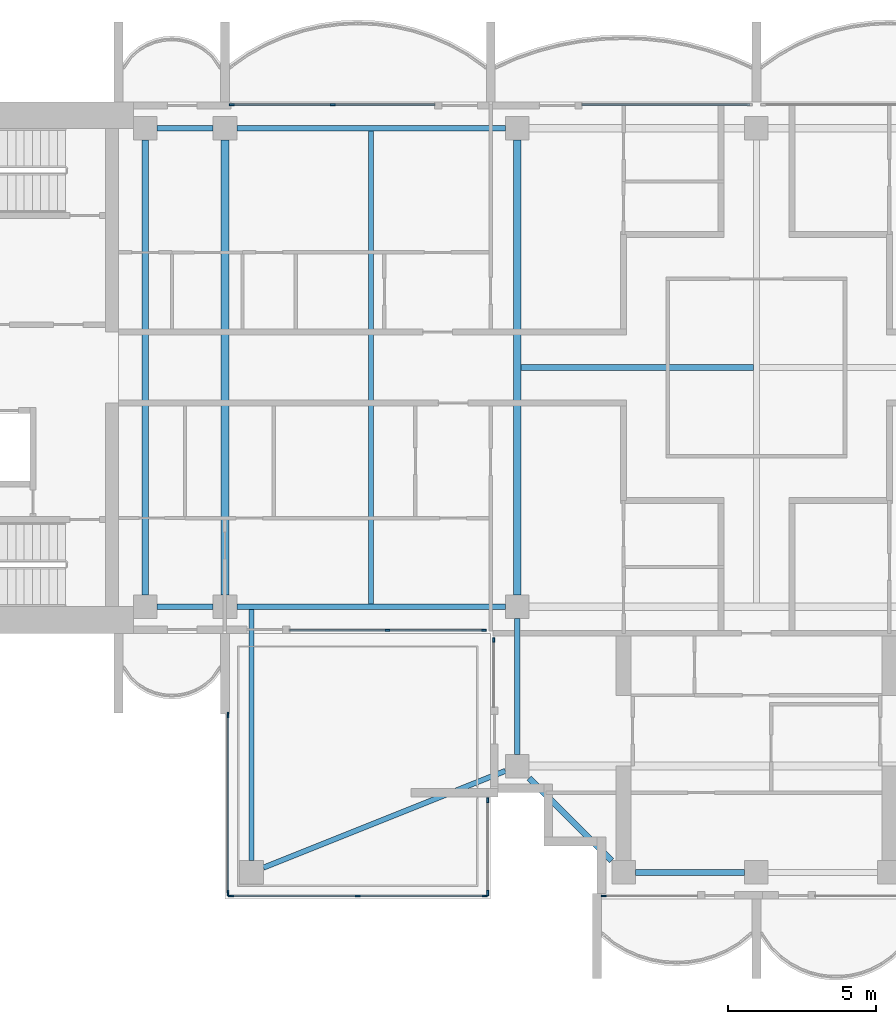
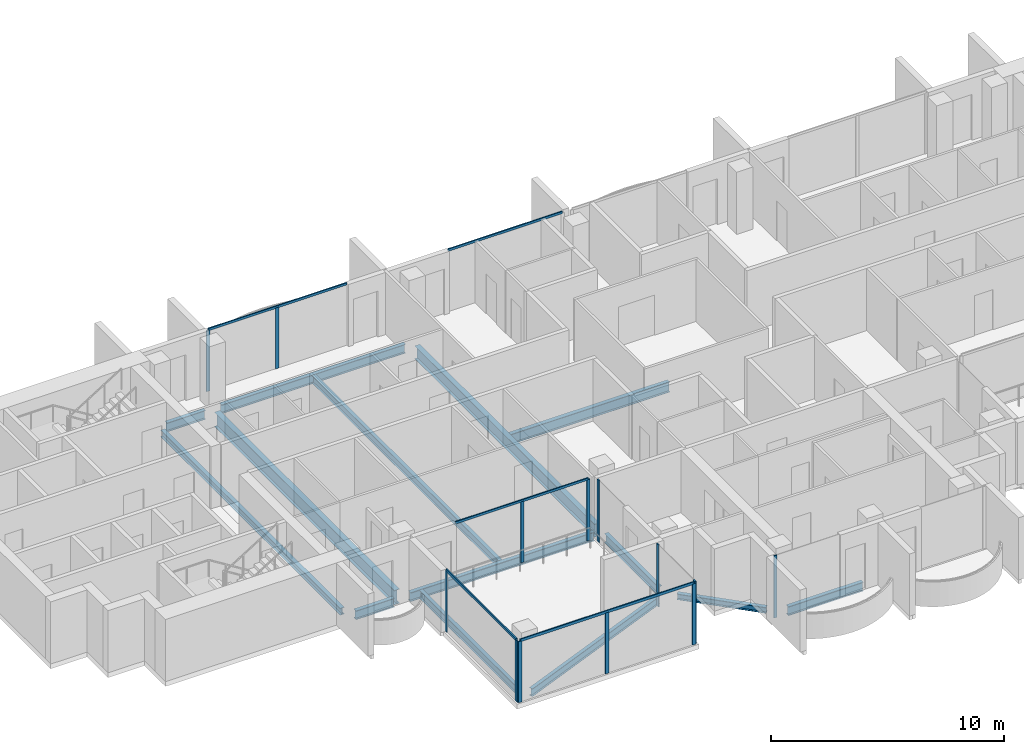
# One storey, part 2 of 16: 18 members, 14 beams, 8 elements without a shape of their own.
"""IFC4 building model written with IfcOpenShell, lengths in metres."""

from ifc_helpers import new_model, si_unit, direction, frame, origin, origin_2d, place, context, subcontext, project, spatial, rectangle, i_section, extrude, material, material_profile, profile_set, type_object, element, aggregate, save


model = new_model("IFC4")

# Units and contexts
model_context = context("Model", 3, precision=1e-05, world=origin(), true_north=direction((0.0, 1.0)))
body_context = subcontext(model_context, "Body", "Model", "MODEL_VIEW")
ifc_project = project(units=[si_unit("LENGTHUNIT", "METRE"), si_unit("AREAUNIT", "SQUARE_METRE"), si_unit("VOLUMEUNIT", "CUBIC_METRE"), si_unit("PLANEANGLEUNIT", "RADIAN"), si_unit("MASSUNIT", "GRAM", prefix="KILO")], contexts=[model_context])

# Site, building, storey
site_placement = place(None, origin())
site = spatial("IfcSite", under=ifc_project, at=site_placement, CompositionType="ELEMENT")
building_placement = place(site_placement, origin())
building = spatial("IfcBuilding", under=site, at=building_placement, Name="Perihelion Cross Residences", CompositionType="ELEMENT")
storey_placement = place(building_placement, frame((0.0, 0.0, 243.0)))
storey = spatial("IfcBuildingStorey", under=building, at=storey_placement, Name="L61", CompositionType="ELEMENT", Elevation=243.0)

# Curtain wall, members
ifc_material_1 = material(Name="Bronze anodised aluminium, tinted glazing", Category="aluminium")
curtain_wall_type_1 = type_object("IfcCurtainWallType", Name="CW1", PredefinedType="NOTDEFINED", material=ifc_material_1)
curtain_wall_1_placement = place(storey_placement, origin())
curtain_wall_1 = element("IfcCurtainWall", 1, at=curtain_wall_1_placement, inside=storey, type_object=curtain_wall_type_1, Name="Curtain wall CW1 L61 west side north bay 1", PredefinedType="NOTDEFINED")
ifc_material_2 = material(Name="Bronze anodised aluminium", Category="aluminium")
ifc_material_profile_1 = material_profile(ifc_material_2, rectangle(XDim=0.06005859375, YDim=0.159912109375, at=origin_2d()), Name="CW1 mullion")
ifc_profile_set_1 = profile_set([ifc_material_profile_1], Name="Bronze anodised aluminium")
member_type_1 = type_object("IfcMemberType", Name="CW1 mullion", PredefinedType="MULLION", material=ifc_profile_set_1)
member_1_placement = place(storey_placement, frame((-14.35009765625, 8.89990234375, 0.0), z_axis=(0.0, 0.0, 1.0), x_axis=(0.0, -1.0, 0.0)))
member_1 = element("IfcMember", 2, at=member_1_placement, type_object=member_type_1, Name="CW1 mullion 2", PredefinedType="MULLION", context=body_context, shape_type="SweptSolid", body=[
    extrude(rectangle(XDim=0.06005859375, YDim=0.159912109375, at=origin_2d()), origin(), (0.0, 0.0, 1.0), 3.18994140625),
])
member_2_placement = place(storey_placement, frame((-17.77001953125, 8.89990234375, 0.0), z_axis=(0.0, 0.0, 1.0), x_axis=(0.0, -1.0, 0.0)))
member_2 = element("IfcMember", 3, at=member_2_placement, type_object=member_type_1, Name="CW1 mullion 3", PredefinedType="MULLION", context=body_context, shape_type="SweptSolid", body=[
    extrude(rectangle(XDim=0.06005859375, YDim=0.159912109375, at=origin_2d()), origin(), (0.0, 0.0, 1.0), 3.18994140625),
])

curtain_wall_2_placement = place(storey_placement, origin())
curtain_wall_2 = element("IfcCurtainWall", 4, at=curtain_wall_2_placement, inside=storey, type_object=curtain_wall_type_1, Name="Curtain wall CW1 L61 west side south bay 2", PredefinedType="NOTDEFINED")
member_3_placement = place(storey_placement, frame((-12.5, -8.89990234375, 0.0), z_axis=(0.0, 0.0, 1.0), x_axis=(0.0, 1.0, 0.0)))
member_3 = element("IfcMember", 5, at=member_3_placement, type_object=member_type_1, Name="CW1 mullion 2", PredefinedType="MULLION", context=body_context, shape_type="SweptSolid", body=[
    extrude(rectangle(XDim=0.06005859375, YDim=0.159912109375, at=origin_2d()), origin(), (0.0, 0.0, 1.0), 3.18994140625),
])
member_4_placement = place(storey_placement, frame((-9.22998046875, -8.89990234375, 0.0), z_axis=(0.0, 0.0, 1.0), x_axis=(0.0, 1.0, 0.0)))
member_4 = element("IfcMember", 6, at=member_4_placement, type_object=member_type_1, Name="CW1 mullion 3", PredefinedType="MULLION", context=body_context, shape_type="SweptSolid", body=[
    extrude(rectangle(XDim=0.06005859375, YDim=0.159912109375, at=origin_2d()), origin(), (0.0, 0.0, 1.0), 3.18994140625),
])

# Curtain wall, member
curtain_wall_3_placement = place(storey_placement, origin())
curtain_wall_3 = element("IfcCurtainWall", 7, at=curtain_wall_3_placement, inside=storey, type_object=curtain_wall_type_1, Name="Curtain wall CW1 L61 south side west bay 1", PredefinedType="NOTDEFINED")
member_5_placement = place(storey_placement, frame((-8.89990234375, -9.22998046875, 0.0), z_axis=(0.0, 0.0, 1.0), x_axis=(1.0, 0.0, 0.0)))
member_5 = element("IfcMember", 8, at=member_5_placement, type_object=member_type_1, Name="CW1 mullion 1", PredefinedType="MULLION", context=body_context, shape_type="SweptSolid", body=[
    extrude(rectangle(XDim=0.06005859375, YDim=0.159912109375, at=origin_2d()), origin(), (0.0, 0.0, 1.0), 3.25),
])
aggregate(curtain_wall_3, [member_5])

curtain_wall_4_placement = place(storey_placement, origin())
curtain_wall_4 = element("IfcCurtainWall", 9, at=curtain_wall_4_placement, inside=storey, type_object=curtain_wall_type_1, Name="Curtain wall CW1 L61 south tip south bay 1", PredefinedType="NOTDEFINED")
member_6_placement = place(storey_placement, frame((-5.169921875, -17.89990234375, 0.0), z_axis=(0.0, 0.0, 1.0), x_axis=(0.0, 1.0, 0.0)))
member_6 = element("IfcMember", 10, at=member_6_placement, type_object=member_type_1, Name="CW1 mullion 1", PredefinedType="MULLION", context=body_context, shape_type="SweptSolid", body=[
    extrude(rectangle(XDim=0.06005859375, YDim=0.159912109375, at=origin_2d()), origin(), (0.0, 0.0, 1.0), 3.25),
])
aggregate(curtain_wall_4, [member_6])

curtain_wall_5_placement = place(storey_placement, origin())
curtain_wall_5 = element("IfcCurtainWall", 11, at=curtain_wall_5_placement, inside=storey, type_object=curtain_wall_type_1, Name="Curtain wall CW1 L61 north side east bay 2", PredefinedType="NOTDEFINED")
ifc_material_3 = material(Name="Bronze anodised aluminium", Category="aluminium")
ifc_material_profile_2 = material_profile(ifc_material_3, rectangle(XDim=0.06005859375, YDim=0.1201171875, at=origin_2d()), Name="CW1 transom")
ifc_profile_set_2 = profile_set([ifc_material_profile_2], Name="Bronze anodised aluminium")
member_type_2 = type_object("IfcMemberType", Name="CW1 transom", PredefinedType="USERDEFINED", material=ifc_profile_set_2)
member_7_placement = place(storey_placement, frame((-0.22998046875, 8.89990234375, 3.219970703125), z_axis=(-1.0, 0.0, 0.0), x_axis=(0.0, -1.0, 0.0)))
member_7 = element("IfcMember", 12, at=member_7_placement, type_object=member_type_2, Name="CW1 head transom", ObjectType="TRANSOM", PredefinedType="USERDEFINED", context=body_context, shape_type="SweptSolid", body=[
    extrude(rectangle(XDim=0.06005859375, YDim=0.1201171875, at=origin_2d()), origin(), (0.0, 0.0, 1.0), 5.669921875),
])
aggregate(curtain_wall_5, [member_7])

# Member
member_8_placement = place(storey_placement, frame((-10.89990234375, 8.89990234375, 3.219970703125), z_axis=(-1.0, 0.0, 0.0), x_axis=(0.0, -1.0, 0.0)))
member_8 = element("IfcMember", 13, at=member_8_placement, type_object=member_type_2, Name="CW1 head transom", ObjectType="TRANSOM", PredefinedType="USERDEFINED", context=body_context, shape_type="SweptSolid", body=[
    extrude(rectangle(XDim=0.06005859375, YDim=0.1201171875, at=origin_2d()), origin(), (0.0, 0.0, 1.0), 6.8701171875),
])

aggregate(curtain_wall_1, [member_1, member_2, member_8])

member_9_placement = place(storey_placement, frame((-15.800048828125, -8.89990234375, 3.219970703125), z_axis=(1.0, 0.0, 0.0), x_axis=(0.0, 1.0, 0.0)))
member_9 = element("IfcMember", 14, at=member_9_placement, type_object=member_type_2, Name="CW1 head transom", ObjectType="TRANSOM", PredefinedType="USERDEFINED", context=body_context, shape_type="SweptSolid", body=[
    extrude(rectangle(XDim=0.06005859375, YDim=0.1201171875, at=origin_2d()), origin(), (0.0, 0.0, 1.0), 6.570068359375),
])

aggregate(curtain_wall_2, [member_3, member_4, member_9])

# Curtain wall, members
ifc_material_4 = material(Name="Bronze anodised aluminium, tinted glazing", Category="aluminium")
curtain_wall_type_2 = type_object("IfcCurtainWallType", Name="CW4", PredefinedType="NOTDEFINED", material=ifc_material_4)
curtain_wall_6_placement = place(storey_placement, origin())
curtain_wall_6 = element("IfcCurtainWall", 15, at=curtain_wall_6_placement, inside=storey, type_object=curtain_wall_type_2, Name="Curtain wall CW4 L61 pocket south-west 1 1", PredefinedType="NOTDEFINED")
ifc_material_5 = material(Name="Bronze anodised aluminium", Category="aluminium")
ifc_material_profile_3 = material_profile(ifc_material_5, rectangle(XDim=0.06005859375, YDim=0.179931640625, at=origin_2d()), Name="CW4 mullion")
ifc_profile_set_3 = profile_set([ifc_material_profile_3], Name="Bronze anodised aluminium")
member_type_3 = type_object("IfcMemberType", Name="CW4 mullion", PredefinedType="MULLION", material=ifc_profile_set_3)
member_10_placement = place(storey_placement, frame((-9.10009765625, -14.658935546875, 0.0), z_axis=(0.0, 0.0, 1.0), x_axis=(1.0, 0.0, 0.0)))
member_10 = element("IfcMember", 16, at=member_10_placement, type_object=member_type_3, Name="CW4 mullion 1", PredefinedType="MULLION", context=body_context, shape_type="SweptSolid", body=[
    extrude(rectangle(XDim=0.06005859375, YDim=0.179931640625, at=origin_2d()), origin(), (0.0, 0.0, 1.0), 3.25),
])
member_11_placement = place(storey_placement, frame((-9.10009765625, -17.800048828125, 0.0), z_axis=(0.0, 0.0, 1.0), x_axis=(1.0, 0.0, 0.0)))
member_11 = element("IfcMember", 17, at=member_11_placement, type_object=member_type_3, Name="CW4 mullion 2", PredefinedType="MULLION", context=body_context, shape_type="SweptSolid", body=[
    extrude(rectangle(XDim=0.06005859375, YDim=0.179931640625, at=origin_2d()), origin(), (0.0, 0.0, 1.0), 3.25),
])
aggregate(curtain_wall_6, [member_10, member_11])

curtain_wall_7_placement = place(storey_placement, origin())
curtain_wall_7 = element("IfcCurtainWall", 18, at=curtain_wall_7_placement, inside=storey, type_object=curtain_wall_type_2, Name="Curtain wall CW4 L61 pocket south-west 1 2", PredefinedType="NOTDEFINED")
member_12_placement = place(storey_placement, frame((-9.199951171875, -17.89990234375, 0.0), z_axis=(0.0, 0.0, 1.0), x_axis=(0.0, -1.0, 0.0)))
member_12 = element("IfcMember", 19, at=member_12_placement, type_object=member_type_3, Name="CW4 mullion 1", PredefinedType="MULLION", context=body_context, shape_type="SweptSolid", body=[
    extrude(rectangle(XDim=0.06005859375, YDim=0.179931640625, at=origin_2d()), origin(), (0.0, 0.0, 1.0), 3.18994140625),
])
member_13_placement = place(storey_placement, frame((-13.5, -17.89990234375, 0.0), z_axis=(0.0, 0.0, 1.0), x_axis=(0.0, -1.0, 0.0)))
member_13 = element("IfcMember", 20, at=member_13_placement, type_object=member_type_3, Name="CW4 mullion 2", PredefinedType="MULLION", context=body_context, shape_type="SweptSolid", body=[
    extrude(rectangle(XDim=0.06005859375, YDim=0.179931640625, at=origin_2d()), origin(), (0.0, 0.0, 1.0), 3.18994140625),
])
member_14_placement = place(storey_placement, frame((-17.800048828125, -17.89990234375, 0.0), z_axis=(0.0, 0.0, 1.0), x_axis=(0.0, -1.0, 0.0)))
member_14 = element("IfcMember", 21, at=member_14_placement, type_object=member_type_3, Name="CW4 mullion 3", PredefinedType="MULLION", context=body_context, shape_type="SweptSolid", body=[
    extrude(rectangle(XDim=0.06005859375, YDim=0.179931640625, at=origin_2d()), origin(), (0.0, 0.0, 1.0), 3.18994140625),
])

curtain_wall_8_placement = place(storey_placement, origin())
curtain_wall_8 = element("IfcCurtainWall", 22, at=curtain_wall_8_placement, inside=storey, type_object=curtain_wall_type_2, Name="Curtain wall CW4 L61 pocket south-west 1 3", PredefinedType="NOTDEFINED")
member_15_placement = place(storey_placement, frame((-17.89990234375, -17.800048828125, 0.0), z_axis=(0.0, 0.0, 1.0), x_axis=(-1.0, 0.0, 0.0)))
member_15 = element("IfcMember", 23, at=member_15_placement, type_object=member_type_3, Name="CW4 mullion 1", PredefinedType="MULLION", context=body_context, shape_type="SweptSolid", body=[
    extrude(rectangle(XDim=0.06005859375, YDim=0.179931640625, at=origin_2d()), origin(), (0.0, 0.0, 1.0), 3.18994140625),
])
member_16_placement = place(storey_placement, frame((-17.89990234375, -11.77001953125, 0.0), z_axis=(0.0, 0.0, 1.0), x_axis=(-1.0, 0.0, 0.0)))
member_16 = element("IfcMember", 24, at=member_16_placement, type_object=member_type_3, Name="CW4 mullion 2", PredefinedType="MULLION", context=body_context, shape_type="SweptSolid", body=[
    extrude(rectangle(XDim=0.06005859375, YDim=0.179931640625, at=origin_2d()), origin(), (0.0, 0.0, 1.0), 3.18994140625),
])

# Member
ifc_material_6 = material(Name="Bronze anodised aluminium", Category="aluminium")
ifc_material_profile_4 = material_profile(ifc_material_6, rectangle(XDim=0.06005859375, YDim=0.139892578125, at=origin_2d()), Name="CW4 transom")
ifc_profile_set_4 = profile_set([ifc_material_profile_4], Name="Bronze anodised aluminium")
member_type_4 = type_object("IfcMemberType", Name="CW4 transom", PredefinedType="USERDEFINED", material=ifc_profile_set_4)
member_17_placement = place(storey_placement, frame((-9.199951171875, -17.89990234375, 3.219970703125), z_axis=(-1.0, 0.0, 0.0), x_axis=(0.0, -1.0, 0.0)))
member_17 = element("IfcMember", 25, at=member_17_placement, type_object=member_type_4, Name="CW4 head transom", ObjectType="TRANSOM", PredefinedType="USERDEFINED", context=body_context, shape_type="SweptSolid", body=[
    extrude(rectangle(XDim=0.06005859375, YDim=0.139892578125, at=origin_2d()), origin(), (0.0, 0.0, 1.0), 8.60009765625),
])

aggregate(curtain_wall_7, [member_12, member_13, member_14, member_17])

member_18_placement = place(storey_placement, frame((-17.89990234375, -17.800048828125, 3.219970703125), z_axis=(0.0, 1.0, 0.0), x_axis=(-1.0, 0.0, 0.0)))
member_18 = element("IfcMember", 26, at=member_18_placement, type_object=member_type_4, Name="CW4 head transom", ObjectType="TRANSOM", PredefinedType="USERDEFINED", context=body_context, shape_type="SweptSolid", body=[
    extrude(rectangle(XDim=0.06005859375, YDim=0.139892578125, at=origin_2d()), origin(), (0.0, 0.0, 1.0), 6.030029296875),
])

aggregate(curtain_wall_8, [member_15, member_16, member_18])

# Beams
ifc_material_7 = material(Name="Steel S355", Category="steel")
ifc_material_profile_5 = material_profile(ifc_material_7, i_section(OverallWidth=0.205078125, OverallDepth=0.35302734375, WebThickness=0.009521484375, FlangeThickness=0.016845703125, at=origin_2d()), Name="W360x79")
ifc_profile_set_5 = profile_set([ifc_material_profile_5], Name="Steel S355")
beam_type_1 = type_object("IfcBeamType", Name="Core edge beam W360x79", PredefinedType="BEAM", material=ifc_profile_set_5)
beam_1_placement = place(storey_placement, frame((-20.699951171875, -7.699951171875, -0.426513671875), z_axis=(0.0, 1.0, 0.0), x_axis=(-1.0, 0.0, 0.0)))
element("IfcBeam", 27, at=beam_1_placement, inside=storey, type_object=beam_type_1, Name="Core edge beam TB7 L61 no. 1", PredefinedType="BEAM", context=body_context, shape_type="SweptSolid", body=[
    extrude(i_section(OverallWidth=0.205078125, OverallDepth=0.35302734375, WebThickness=0.009521484375, FlangeThickness=0.016845703125, at=origin_2d()), origin(), (0.0, 0.0, 1.0), 15.39990234375),
])
ifc_material_8 = material(Name="Steel S355", Category="steel")
ifc_material_profile_6 = material_profile(ifc_material_8, i_section(OverallWidth=0.177978515625, OverallDepth=0.406005859375, WebThickness=0.0078125, FlangeThickness=0.0126953125, at=origin_2d()), Name="W410x60")
ifc_profile_set_6 = profile_set([ifc_material_profile_6], Name="Steel S355")
beam_type_2 = type_object("IfcBeamType", Name="Core edge beam W410x60", PredefinedType="BEAM", material=ifc_profile_set_6)
beam_2_placement = place(storey_placement, frame((-17.10009765625, -8.197021484375, -0.452880859375), z_axis=(0.0, -1.0, 0.0), x_axis=(1.0, 0.0, 0.0)))
element("IfcBeam", 28, at=beam_2_placement, inside=storey, type_object=beam_type_2, Name="Core edge beam TB2 L61 corner no. 1", PredefinedType="BEAM", context=body_context, shape_type="SweptSolid", body=[
    extrude(i_section(OverallWidth=0.177978515625, OverallDepth=0.406005859375, WebThickness=0.0078125, FlangeThickness=0.0126953125, at=origin_2d()), origin(), (0.0, 0.0, 1.0), 8.5029296875),
])
beam_3_placement = place(storey_placement, frame((-8.5, -13.659912109375, -0.452880859375), z_axis=(-0.928474784399, -0.371395442534, 0.0), x_axis=(0.371395442534, -0.928474784399, 0.0)))
element("IfcBeam", 29, at=beam_3_placement, inside=storey, type_object=beam_type_2, Name="Core edge beam TB2 L61 corner no. 2", PredefinedType="BEAM", context=body_context, shape_type="SweptSolid", body=[
    extrude(i_section(OverallWidth=0.177978515625, OverallDepth=0.406005859375, WebThickness=0.0078125, FlangeThickness=0.0126953125, at=origin_2d()), origin(), (0.0, 0.0, 1.0), 8.83154296875),
])
ifc_material_9 = material(Name="Steel S355", Category="steel")
ifc_material_profile_7 = material_profile(ifc_material_9, i_section(OverallWidth=0.194091796875, OverallDepth=0.469970703125, WebThickness=0.0126953125, FlangeThickness=0.0205078125, at=origin_2d()), Name="W460x106")
ifc_profile_set_7 = profile_set([ifc_material_profile_7], Name="Steel S355")
beam_type_3 = type_object("IfcBeamType", Name="Edge beam W460x106", PredefinedType="SPANDREL", material=ifc_profile_set_7)
beam_4_placement = place(storey_placement, frame((-8.5, 8.10009765625, -0.485107421875), z_axis=(-1.0, 0.0, 0.0), x_axis=(0.0, -1.0, 0.0)))
element("IfcBeam", 30, at=beam_4_placement, inside=storey, type_object=beam_type_3, Name="Edge beam SB5 L61 no. 6", PredefinedType="SPANDREL", context=body_context, shape_type="SweptSolid", body=[
    extrude(i_section(OverallWidth=0.194091796875, OverallDepth=0.469970703125, WebThickness=0.0126953125, FlangeThickness=0.0205078125, at=origin_2d()), origin(), (0.0, 0.0, 1.0), 9.10009765625),
])
for number, where, z_axis, x_axis, name in (
    (31, (-18.39990234375, 8.10009765625, -0.485107421875), (-1.0, 0.0, 0.0), (0.0, -1.0, 0.0), "Edge beam SB5 L61 no. 2"),
    (32, (-20.300048828125, -8.10009765625, -0.485107421875), (1.0, 0.0, 0.0), (0.0, 1.0, 0.0), "Edge beam SB5 L61 no. 3"),
):
    element("IfcBeam", number, at=place(storey_placement, frame(where, z_axis=z_axis, x_axis=x_axis)), inside=storey, type_object=beam_type_3, Name=name, PredefinedType="SPANDREL", context=body_context, shape_type="SweptSolid", body=[
        extrude(i_section(OverallWidth=0.194091796875, OverallDepth=0.469970703125, WebThickness=0.0126953125, FlangeThickness=0.0205078125, at=origin_2d()), origin(), (0.0, 0.0, 1.0), 1.900146484375),
    ])
beam_5_placement = place(storey_placement, frame((-17.60009765625, -8.10009765625, -0.485107421875), z_axis=(1.0, 0.0, 0.0), x_axis=(0.0, 1.0, 0.0)))
element("IfcBeam", 33, at=beam_5_placement, inside=storey, type_object=beam_type_3, Name="Edge beam SB5 L61 no. 1", PredefinedType="SPANDREL", context=body_context, shape_type="SweptSolid", body=[
    extrude(i_section(OverallWidth=0.194091796875, OverallDepth=0.469970703125, WebThickness=0.0126953125, FlangeThickness=0.0205078125, at=origin_2d()), origin(), (0.0, 0.0, 1.0), 9.10009765625),
])
beam_6_placement = place(storey_placement, frame((-8.10009765625, -8.5, -0.485107421875), z_axis=(0.0, -1.0, 0.0), x_axis=(1.0, 0.0, 0.0)))
element("IfcBeam", 34, at=beam_6_placement, inside=storey, type_object=beam_type_3, Name="Edge beam SB5 L61 no. 5", PredefinedType="SPANDREL", context=body_context, shape_type="SweptSolid", body=[
    extrude(i_section(OverallWidth=0.194091796875, OverallDepth=0.469970703125, WebThickness=0.0126953125, FlangeThickness=0.0205078125, at=origin_2d()), origin(), (0.0, 0.0, 1.0), 4.60009765625),
])
beam_7_placement = place(storey_placement, frame((-4.10009765625, -17.10009765625, -0.485107421875), z_axis=(1.0, 0.0, 0.0), x_axis=(0.0, 1.0, 0.0)))
element("IfcBeam", 35, at=beam_7_placement, inside=storey, type_object=beam_type_3, Name="Edge beam SB5 L61 no. 4", PredefinedType="SPANDREL", context=body_context, shape_type="SweptSolid", body=[
    extrude(i_section(OverallWidth=0.194091796875, OverallDepth=0.469970703125, WebThickness=0.0126953125, FlangeThickness=0.0205078125, at=origin_2d()), origin(), (0.0, 0.0, 1.0), 3.7001953125),
])
ifc_material_10 = material(Name="Steel S355", Category="steel")
ifc_material_profile_8 = material_profile(ifc_material_10, i_section(OverallWidth=0.26708984375, OverallDepth=0.75390625, WebThickness=0.01318359375, FlangeThickness=0.01708984375, at=origin_2d()), Name="W760x147")
ifc_profile_set_8 = profile_set([ifc_material_profile_8], Name="Steel S355")
beam_type_4 = type_object("IfcBeamType", Name="Floor girder W760x147", PredefinedType="BEAM", material=ifc_profile_set_8)
beam_8_placement = place(storey_placement, frame((-18.0, -7.699951171875, -0.626953125), z_axis=(0.0, 1.0, 0.0), x_axis=(-1.0, 0.0, 0.0)))
element("IfcBeam", 36, at=beam_8_placement, inside=storey, type_object=beam_type_4, Name="Girder G5 L61 no. 1", PredefinedType="BEAM", context=body_context, shape_type="SweptSolid", body=[
    extrude(i_section(OverallWidth=0.26708984375, OverallDepth=0.75390625, WebThickness=0.01318359375, FlangeThickness=0.01708984375, at=origin_2d()), origin(), (0.0, 0.0, 1.0), 15.39990234375),
])
ifc_material_11 = material(Name="Steel S355", Category="steel")
ifc_material_profile_9 = material_profile(ifc_material_11, i_section(OverallWidth=0.177978515625, OverallDepth=0.406005859375, WebThickness=0.0078125, FlangeThickness=0.0126953125, at=origin_2d()), Name="W410x60")
ifc_profile_set_9 = profile_set([ifc_material_profile_9], Name="Steel S355")
beam_type_5 = type_object("IfcBeamType", Name="Floor joist W410x60", PredefinedType="JOIST", material=ifc_profile_set_9)
beam_9_placement = place(storey_placement, frame((-13.050048828125, -8.0029296875, -0.452880859375), z_axis=(0.0, 1.0, 0.0), x_axis=(-1.0, 0.0, 0.0)))
element("IfcBeam", 37, at=beam_9_placement, inside=storey, type_object=beam_type_5, Name="Joist J6 L61 no. 1", PredefinedType="JOIST", context=body_context, shape_type="SweptSolid", body=[
    extrude(i_section(OverallWidth=0.177978515625, OverallDepth=0.406005859375, WebThickness=0.0078125, FlangeThickness=0.0126953125, at=origin_2d()), origin(), (0.0, 0.0, 1.0), 16.005859375),
])
ifc_material_12 = material(Name="Steel S355", Category="steel")
ifc_material_profile_10 = material_profile(ifc_material_12, i_section(OverallWidth=0.208984375, OverallDepth=0.532958984375, WebThickness=0.01025390625, FlangeThickness=0.015625, at=origin_2d()), Name="W530x92")
ifc_profile_set_10 = profile_set([ifc_material_profile_10], Name="Steel S355")
beam_type_6 = type_object("IfcBeamType", Name="Hub cross beam W530x92", PredefinedType="BEAM", material=ifc_profile_set_10)
beam_10_placement = place(storey_placement, frame((-7.972900390625, 0.0, -0.5166015625), z_axis=(1.0, 0.0, 0.0), x_axis=(0.0, 1.0, 0.0)))
element("IfcBeam", 38, at=beam_10_placement, inside=storey, type_object=beam_type_6, Name="Hub cross beam XB5 L61 1 no. 1", PredefinedType="BEAM", context=body_context, shape_type="SweptSolid", body=[
    extrude(i_section(OverallWidth=0.208984375, OverallDepth=0.532958984375, WebThickness=0.01025390625, FlangeThickness=0.015625, at=origin_2d()), origin(), (0.0, 0.0, 1.0), 7.868408203125),
])
ifc_material_13 = material(Name="Steel S355", Category="steel")
ifc_material_profile_11 = material_profile(ifc_material_13, i_section(OverallWidth=0.25390625, OverallDepth=0.677978515625, WebThickness=0.01171875, FlangeThickness=0.016357421875, at=origin_2d()), Name="W690x125")
ifc_profile_set_11 = profile_set([ifc_material_profile_11], Name="Steel S355")
beam_type_7 = type_object("IfcBeamType", Name="Hub ring girder W690x125", PredefinedType="BEAM", material=ifc_profile_set_11)
beam_11_placement = place(storey_placement, frame((-8.10009765625, 7.699951171875, -0.589111328125), z_axis=(0.0, -1.0, 0.0), x_axis=(1.0, 0.0, 0.0)))
element("IfcBeam", 39, at=beam_11_placement, inside=storey, type_object=beam_type_7, Name="Hub ring girder RG5 L61 no. 2", PredefinedType="BEAM", context=body_context, shape_type="SweptSolid", body=[
    extrude(i_section(OverallWidth=0.25390625, OverallDepth=0.677978515625, WebThickness=0.01171875, FlangeThickness=0.016357421875, at=origin_2d()), origin(), (0.0, 0.0, 1.0), 15.39990234375),
])
ifc_material_14 = material(Name="Steel S355", Category="steel")
ifc_material_profile_12 = material_profile(ifc_material_14, i_section(OverallWidth=0.202880859375, OverallDepth=0.302001953125, WebThickness=0.007568359375, FlangeThickness=0.01318359375, at=origin_2d()), Name="W310x60")
ifc_profile_set_12 = profile_set([ifc_material_profile_12], Name="Steel S355")
beam_type_8 = type_object("IfcBeamType", Name="Serration edge beam W310x60", PredefinedType="BEAM", material=ifc_profile_set_12)
beam_12_placement = place(storey_placement, frame((-7.699951171875, -13.89990234375, -0.40087890625), z_axis=(0.707106781187, -0.707106781187, 0.0), x_axis=(0.707106781187, 0.707106781187, 0.0)))
element("IfcBeam", 40, at=beam_12_placement, inside=storey, type_object=beam_type_8, Name="Serration edge beam EB5 L61 no. 1", PredefinedType="BEAM", context=body_context, shape_type="SweptSolid", body=[
    extrude(i_section(OverallWidth=0.202880859375, OverallDepth=0.302001953125, WebThickness=0.007568359375, FlangeThickness=0.01318359375, at=origin_2d()), origin(), (0.0, 0.0, 1.0), 3.9599609375),
])

save(model, "model.ifc")
